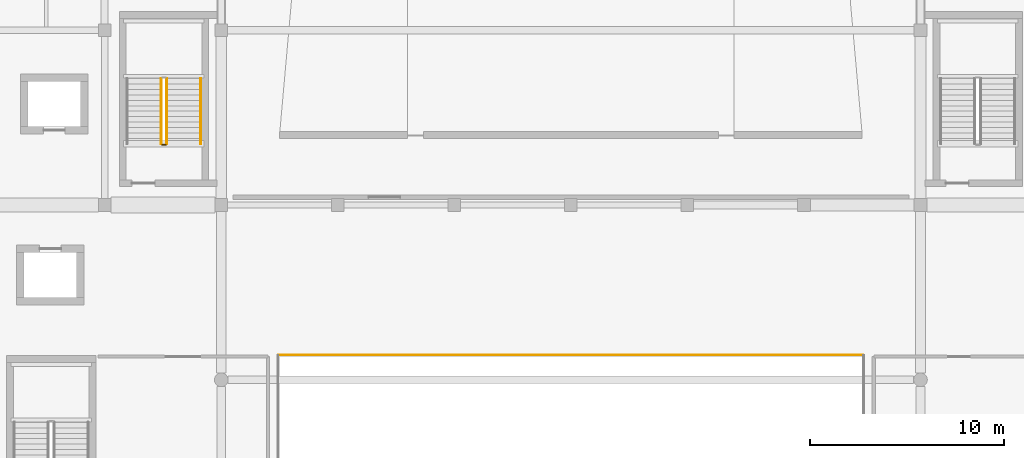
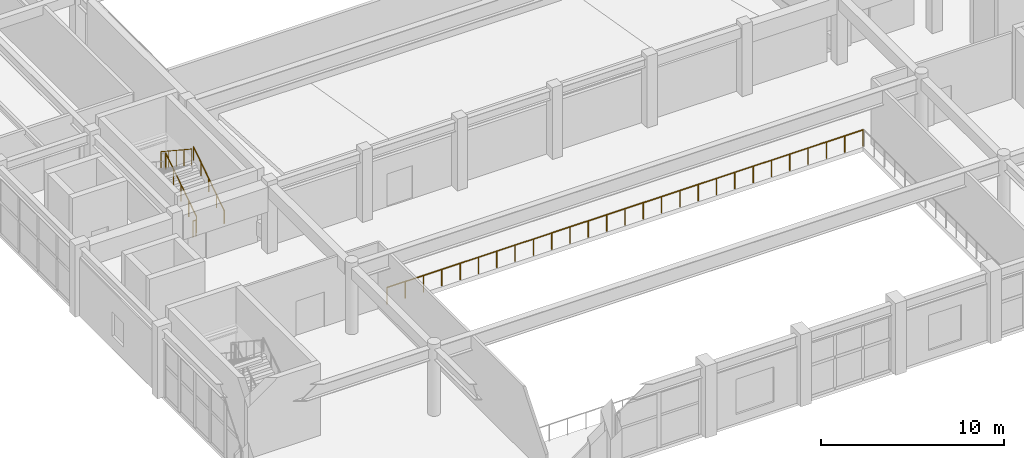
# One storey, part 75 of 85: 5 railings.
"""IFC4 building model written with IfcOpenShell, lengths in metres."""

from ifc_helpers import new_model, si_unit, direction, frame, origin, origin_2d, place, context, subcontext, project, spatial, circle, extrude, material, type_object, element, save


model = new_model("IFC4")

# Units and contexts
model_context = context("Model", 3, precision=1e-05, world=origin(), true_north=direction((0.0, 1.0)))
body_context = subcontext(model_context, "Body", "Model", "MODEL_VIEW")
ifc_project = project(units=[si_unit("LENGTHUNIT", "METRE"), si_unit("AREAUNIT", "SQUARE_METRE"), si_unit("VOLUMEUNIT", "CUBIC_METRE"), si_unit("PLANEANGLEUNIT", "RADIAN"), si_unit("MASSUNIT", "GRAM", prefix="KILO")], contexts=[model_context])

# Site, building, storey
site_placement = place(None, origin())
site = spatial("IfcSite", under=ifc_project, at=site_placement, CompositionType="ELEMENT")
building_placement = place(site_placement, origin())
building = spatial("IfcBuilding", under=site, at=building_placement, Name="Vaelkrest Opera House", CompositionType="ELEMENT")
storey_placement = place(building_placement, frame((0.0, 0.0, 10.199951171875)))
storey = spatial("IfcBuildingStorey", under=building, at=storey_placement, Name="L02", CompositionType="ELEMENT", Elevation=10.199951171875)

# Railings
ifc_material = material(Name="Dark bronze anodized aluminium", Category="aluminium")
railing_type_1 = type_object("IfcRailingType", Name="BL01", PredefinedType="BALUSTRADE", material=ifc_material)
railing_1_placement = place(storey_placement, frame((15.0400390625, -36.52001953125, 0.0)))
element("IfcRailing", 1, at=railing_1_placement, inside=storey, type_object=railing_type_1, Name="Atrium/stage void guard V1 L02-2 seg 3", PredefinedType="BALUSTRADE", context=body_context, shape_type="SweptSolid", body=[
    extrude(circle(Radius=0.02392578125, at=origin_2d()), frame((0.0, 0.0, 1.09619140625), z_axis=(-1.0, 0.0, 0.0), x_axis=(0.0, -1.0, 0.0)), (0.0, 0.0, 1.0), 30.080078125),
    extrude(circle(Radius=0.02099609375, at=origin_2d()), origin(), (0.0, 0.0, 1.0), 1.072021484375),
    extrude(circle(Radius=0.02099609375, at=origin_2d()), frame((-1.156982421875, 0.0, 0.0)), (0.0, 0.0, 1.0), 1.072021484375),
    extrude(circle(Radius=0.02099609375, at=origin_2d()), frame((-2.31396484375, 0.0, 0.0)), (0.0, 0.0, 1.0), 1.072021484375),
    extrude(circle(Radius=0.02099609375, at=origin_2d()), frame((-3.470703125, 0.0, 0.0)), (0.0, 0.0, 1.0), 1.072021484375),
    extrude(circle(Radius=0.02099609375, at=origin_2d()), frame((-4.627685546875, 0.0, 0.0)), (0.0, 0.0, 1.0), 1.072021484375),
    extrude(circle(Radius=0.02099609375, at=origin_2d()), frame((-5.78466796875, 0.0, 0.0)), (0.0, 0.0, 1.0), 1.072021484375),
    extrude(circle(Radius=0.02099609375, at=origin_2d()), frame((-6.941650390625, 0.0, 0.0)), (0.0, 0.0, 1.0), 1.072021484375),
    extrude(circle(Radius=0.02099609375, at=origin_2d()), frame((-8.098388671875, 0.0, 0.0)), (0.0, 0.0, 1.0), 1.072021484375),
    extrude(circle(Radius=0.02099609375, at=origin_2d()), frame((-9.25537109375, 0.0, 0.0)), (0.0, 0.0, 1.0), 1.072021484375),
    extrude(circle(Radius=0.02099609375, at=origin_2d()), frame((-10.412353515625, 0.0, 0.0)), (0.0, 0.0, 1.0), 1.072021484375),
    extrude(circle(Radius=0.02099609375, at=origin_2d()), frame((-11.5693359375, 0.0, 0.0)), (0.0, 0.0, 1.0), 1.072021484375),
    extrude(circle(Radius=0.02099609375, at=origin_2d()), frame((-12.72607421875, 0.0, 0.0)), (0.0, 0.0, 1.0), 1.072021484375),
    extrude(circle(Radius=0.02099609375, at=origin_2d()), frame((-13.883056640625, 0.0, 0.0)), (0.0, 0.0, 1.0), 1.072021484375),
    extrude(circle(Radius=0.02099609375, at=origin_2d()), frame((-15.0400390625, 0.0, 0.0)), (0.0, 0.0, 1.0), 1.072021484375),
    extrude(circle(Radius=0.02099609375, at=origin_2d()), frame((-16.197021484375, 0.0, 0.0)), (0.0, 0.0, 1.0), 1.072021484375),
    extrude(circle(Radius=0.02099609375, at=origin_2d()), frame((-17.35400390625, 0.0, 0.0)), (0.0, 0.0, 1.0), 1.072021484375),
    extrude(circle(Radius=0.02099609375, at=origin_2d()), frame((-18.5107421875, 0.0, 0.0)), (0.0, 0.0, 1.0), 1.072021484375),
    extrude(circle(Radius=0.02099609375, at=origin_2d()), frame((-19.667724609375, 0.0, 0.0)), (0.0, 0.0, 1.0), 1.072021484375),
    extrude(circle(Radius=0.02099609375, at=origin_2d()), frame((-20.82470703125, 0.0, 0.0)), (0.0, 0.0, 1.0), 1.072021484375),
    extrude(circle(Radius=0.02099609375, at=origin_2d()), frame((-21.981689453125, 0.0, 0.0)), (0.0, 0.0, 1.0), 1.072021484375),
    extrude(circle(Radius=0.02099609375, at=origin_2d()), frame((-23.138427734375, 0.0, 0.0)), (0.0, 0.0, 1.0), 1.072021484375),
    extrude(circle(Radius=0.02099609375, at=origin_2d()), frame((-24.29541015625, 0.0, 0.0)), (0.0, 0.0, 1.0), 1.072021484375),
    extrude(circle(Radius=0.02099609375, at=origin_2d()), frame((-25.452392578125, 0.0, 0.0)), (0.0, 0.0, 1.0), 1.072021484375),
    extrude(circle(Radius=0.02099609375, at=origin_2d()), frame((-26.609375, 0.0, 0.0)), (0.0, 0.0, 1.0), 1.072021484375),
    extrude(circle(Radius=0.02099609375, at=origin_2d()), frame((-27.76611328125, 0.0, 0.0)), (0.0, 0.0, 1.0), 1.072021484375),
    extrude(circle(Radius=0.02099609375, at=origin_2d()), frame((-28.923095703125, 0.0, 0.0)), (0.0, 0.0, 1.0), 1.072021484375),
    extrude(circle(Radius=0.02099609375, at=origin_2d()), frame((-30.080078125, 0.0, 0.0)), (0.0, 0.0, 1.0), 1.072021484375),
])
railing_type_2 = type_object("IfcRailingType", Name="GR02", PredefinedType="GUARDRAIL", material=ifc_material)
railing_2_placement = place(storey_placement, frame((-20.800048828125, -25.64990234375, 0.1845703125)))
element("IfcRailing", 2, at=railing_2_placement, inside=storey, type_object=railing_type_2, Name="L02 ST01 stair guard 1", PredefinedType="GUARDRAIL", context=body_context, shape_type="SweptSolid", body=[
    extrude(circle(Radius=0.02392578125, at=origin_2d()), frame((0.0, 0.0, 1.076171875), z_axis=(0.0, 0.83483021737, 0.550507500554), x_axis=(-1.0, 0.0, 0.0)), (0.0, 0.0, 1.0), 4.024658203125),
    extrude(circle(Radius=0.02099609375, at=origin_2d()), origin(), (0.0, 0.0, 1.0), 1.052001953125),
    extrude(circle(Radius=0.02099609375, at=origin_2d()), frame((0.0, 0.83984375, 0.553955078125)), (0.0, 0.0, 1.0), 1.052001953125),
    extrude(circle(Radius=0.02099609375, at=origin_2d()), frame((0.0, 1.679931640625, 1.10791015625)), (0.0, 0.0, 1.0), 1.052001953125),
    extrude(circle(Radius=0.02099609375, at=origin_2d()), frame((0.0, 2.52001953125, 1.66162109375)), (0.0, 0.0, 1.0), 1.052001953125),
    extrude(circle(Radius=0.02099609375, at=origin_2d()), frame((0.0, 3.35986328125, 2.215576171875)), (0.0, 0.0, 1.0), 1.052001953125),
])
railing_3_placement = place(storey_placement, frame((-21.10009765625, -22.2900390625, 2.584716796875)))
element("IfcRailing", 3, at=railing_3_placement, inside=storey, type_object=railing_type_2, Name="L02 ST01 stair guard 3", PredefinedType="GUARDRAIL", context=body_context, shape_type="SweptSolid", body=[
    extrude(circle(Radius=0.02392578125, at=origin_2d()), frame((0.0, 0.0, 1.076171875), z_axis=(0.0, -0.834858096282, 0.550465220583), x_axis=(1.0, 0.0, 0.0)), (0.0, 0.0, 1.0), 4.0244140625),
    extrude(circle(Radius=0.02099609375, at=origin_2d()), origin(), (0.0, 0.0, 1.0), 1.052001953125),
    extrude(circle(Radius=0.02099609375, at=origin_2d()), frame((0.0, -0.83984375, 0.5537109375)), (0.0, 0.0, 1.0), 1.052001953125),
    extrude(circle(Radius=0.02099609375, at=origin_2d()), frame((0.0, -1.679931640625, 1.107666015625)), (0.0, 0.0, 1.0), 1.052001953125),
    extrude(circle(Radius=0.02099609375, at=origin_2d()), frame((0.0, -2.52001953125, 1.66162109375)), (0.0, 0.0, 1.0), 1.052001953125),
    extrude(circle(Radius=0.02099609375, at=origin_2d()), frame((0.0, -3.35986328125, 2.21533203125)), (0.0, 0.0, 1.0), 1.052001953125),
])
railing_4_placement = place(storey_placement, frame((-20.85009765625, -25.699951171875, 0.0)))
element("IfcRailing", 4, at=railing_4_placement, inside=storey, type_object=railing_type_2, Name="L02 ST01 stair guard 4", PredefinedType="GUARDRAIL", context=body_context, shape_type="SweptSolid", body=[
    extrude(circle(Radius=0.02392578125, at=origin_2d()), frame((0.0, 0.0, 1.076171875), z_axis=(-1.0, 0.0, 0.0), x_axis=(0.0, -1.0, 0.0)), (0.0, 0.0, 1.0), 0.199951171875),
    extrude(circle(Radius=0.02099609375, at=origin_2d()), origin(), (0.0, 0.0, 1.0), 1.052001953125),
    extrude(circle(Radius=0.02099609375, at=origin_2d()), frame((-0.199951171875, 0.0, 0.0)), (0.0, 0.0, 1.0), 1.052001953125),
])
railing_type_3 = type_object("IfcRailingType", Name="HR02", PredefinedType="HANDRAIL", material=ifc_material)
railing_5_placement = place(storey_placement, frame((-19.050048828125, -25.64990234375, 0.1845703125)))
element("IfcRailing", 5, at=railing_5_placement, inside=storey, type_object=railing_type_3, Name="L02 ST01 stair handrail 1", PredefinedType="HANDRAIL", context=body_context, shape_type="SweptSolid", body=[
    extrude(circle(Radius=0.02392578125, at=origin_2d()), frame((0.0, 0.0, 0.8759765625), z_axis=(0.0, 0.83483021737, 0.550507500554), x_axis=(-1.0, 0.0, 0.0)), (0.0, 0.0, 1.0), 4.024658203125),
    extrude(circle(Radius=0.02099609375, at=origin_2d()), origin(), (0.0, 0.0, 1.0), 0.851806640625),
    extrude(circle(Radius=0.02099609375, at=origin_2d()), frame((0.0, 0.83984375, 0.553955078125)), (0.0, 0.0, 1.0), 0.851806640625),
    extrude(circle(Radius=0.02099609375, at=origin_2d()), frame((0.0, 1.679931640625, 1.10791015625)), (0.0, 0.0, 1.0), 0.851806640625),
    extrude(circle(Radius=0.02099609375, at=origin_2d()), frame((0.0, 2.52001953125, 1.66162109375)), (0.0, 0.0, 1.0), 0.851806640625),
    extrude(circle(Radius=0.02099609375, at=origin_2d()), frame((0.0, 3.35986328125, 2.215576171875)), (0.0, 0.0, 1.0), 0.851806640625),
])

save(model, "model.ifc")
